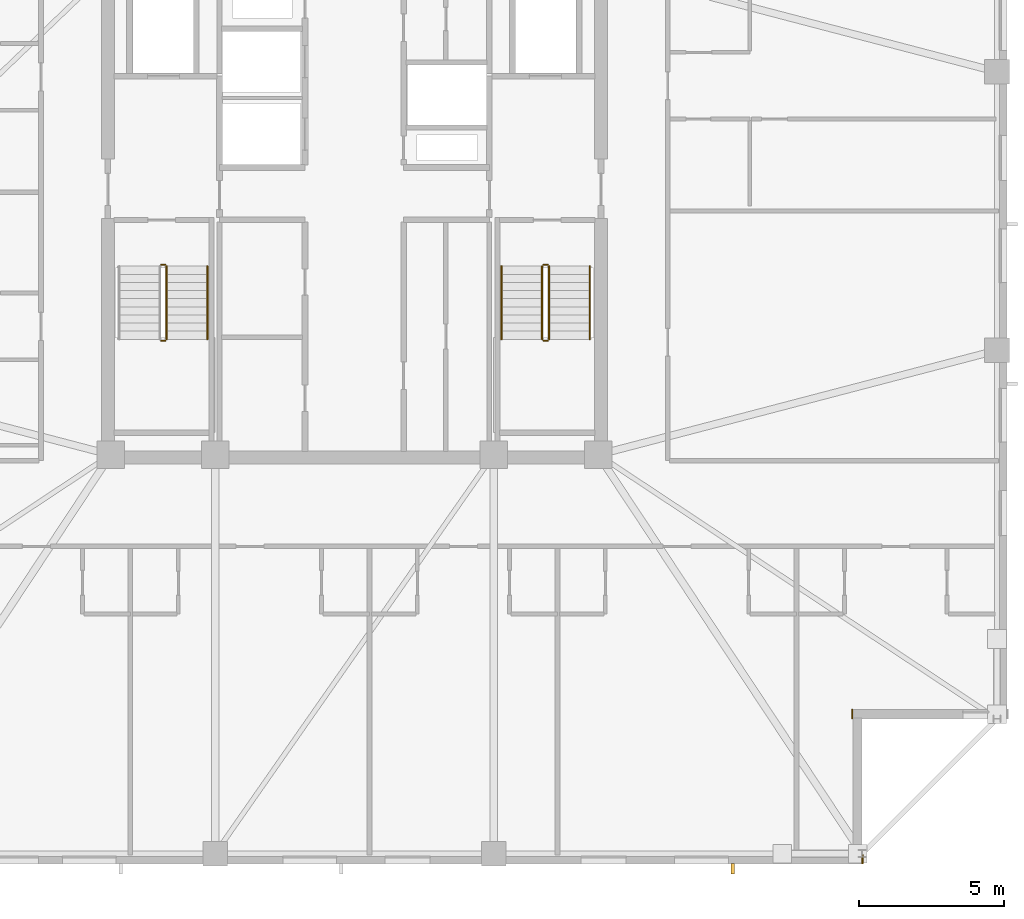
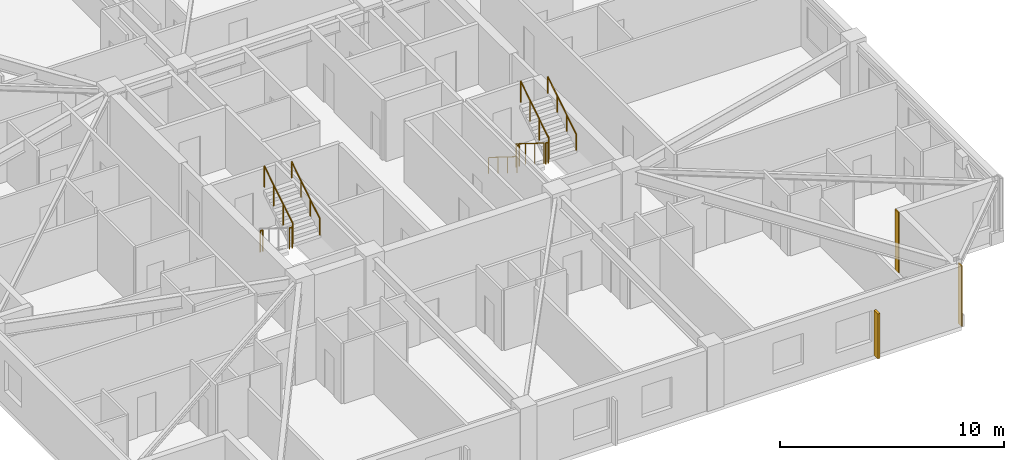
# One storey, part 14 of 17: 10 railings, 2 coverings, 1 shading device.
"""IFC4 building model written with IfcOpenShell, lengths in metres."""

from ifc_helpers import new_model, si_unit, direction, frame, frame_2d, origin, origin_2d, place, context, subcontext, project, spatial, rectangle, circle, extrude, material, layer, layer_set, type_object, element, save


model = new_model("IFC4")

# Units and contexts
model_context = context("Model", 3, precision=1e-05, world=origin(), true_north=direction((0.0, 1.0)))
body_context = subcontext(model_context, "Body", "Model", "MODEL_VIEW")
ifc_project = project(units=[si_unit("LENGTHUNIT", "METRE"), si_unit("AREAUNIT", "SQUARE_METRE"), si_unit("VOLUMEUNIT", "CUBIC_METRE"), si_unit("PLANEANGLEUNIT", "RADIAN"), si_unit("MASSUNIT", "GRAM", prefix="KILO")], contexts=[model_context])

# Site, building, storey
site_placement = place(None, origin())
site = spatial("IfcSite", under=ifc_project, at=site_placement, CompositionType="ELEMENT")
building_placement = place(site_placement, origin())
building = spatial("IfcBuilding", under=site, at=building_placement, Name="Cairnveth Concourse Tower", CompositionType="ELEMENT")
storey_placement = place(building_placement, frame((0.0, 0.0, 237.5)))
storey = spatial("IfcBuildingStorey", under=building, at=storey_placement, Name="L65", CompositionType="ELEMENT", Elevation=237.5)

# Coverings
ifc_material_1 = material(Name="Dressed Melbourne Bluestone Cladding", Category="masonry")
ifc_layer = layer(ifc_material_1, 0.050048828125)
ifc_layer_set = layer_set([ifc_layer], Name="Dressed Melbourne Bluestone Cladding")
covering_type = type_object("IfcCoveringType", Name="DRESSED BLUESTONE PLINTH CLADDING 50", PredefinedType="CLADDING", material=ifc_layer_set)
for number, where, z_axis, x_axis, name in (
    (1, (69.159912109375, 21.820068359375, 0.0), (0.0, 0.0, 1.0), (0.0, -1.0, 0.0), "Melbourne Bluestone Corner Quoin L65-983"),
    (2, (69.52001953125, 16.820068359375, 0.0), (0.0, 0.0, 1.0), (0.0, -1.0, 0.0), "Melbourne Bluestone Corner Quoin L65-984"),
):
    element("IfcCovering", number, at=place(storey_placement, frame(where, z_axis=z_axis, x_axis=x_axis)), inside=storey, type_object=covering_type, Name=name, PredefinedType="CLADDING", context=body_context, shape_type="SweptSolid", body=[
        extrude(rectangle(XDim=0.320068359375, YDim=0.050048828125, at=frame_2d((0.16015625, 0.0))), origin(), (0.0, 0.0, 1.0), 3.2900390625),
    ])

# Shading device
ifc_material_2 = material(Name="Architectural Bronze Anodised Aluminium 6063-T6", Category="aluminium")
shading_device_type = type_object("IfcShadingDeviceType", Name="GOTHIC BRONZE VERTICAL LANCET FIN", PredefinedType="USERDEFINED", material=ifc_material_2)
shading_device_placement = place(storey_placement, frame((65.04736328125, 16.324951171875, 0.030029296875), z_axis=(0.0, 0.0, 1.0), x_axis=(1.0, 0.0, 0.0)))
element("IfcShadingDevice", 3, at=shading_device_placement, inside=storey, type_object=shading_device_type, Name="Gothic Bronze Vertical Fin L65-9-1", ObjectType="VERTICAL FIN", PredefinedType="USERDEFINED", context=body_context, shape_type="SweptSolid", body=[
    extrude(rectangle(XDim=0.1201171875, YDim=0.360107421875, at=origin_2d()), origin(), (0.0, 0.0, 1.0), 2.43798828125),
])

# Railings
ifc_material_3 = material(Name="Steel Grade 350", Category="steel")
railing_type_1 = type_object("IfcRailingType", Name="STAIR GUARDRAIL 1150", PredefinedType="GUARDRAIL", material=ifc_material_3)
railing_1_placement = place(storey_placement, frame((45.340087890625, 34.530029296875, 1.75)))
element("IfcRailing", 4, at=railing_1_placement, inside=storey, type_object=railing_type_1, Name="L65 ST-1 stair guard 2", PredefinedType="GUARDRAIL", context=body_context, shape_type="SweptSolid", body=[
    extrude(circle(Radius=0.02392578125, at=origin_2d()), frame((0.0, 0.0, 1.1259765625), z_axis=(1.0, 0.0, 0.0), x_axis=(0.0, 1.0, 0.0)), (0.0, 0.0, 1.0), 0.139892578125),
    extrude(circle(Radius=0.02099609375, at=origin_2d()), origin(), (0.0, 0.0, 1.0), 1.101806640625),
    extrude(circle(Radius=0.02099609375, at=origin_2d()), frame((0.139892578125, 0.0, 0.0)), (0.0, 0.0, 1.0), 1.101806640625),
])
railing_2_placement = place(storey_placement, frame((45.530029296875, 34.580078125, 1.925048828125)))
element("IfcRailing", 5, at=railing_2_placement, inside=storey, type_object=railing_type_1, Name="L65 ST-1 stair guard 3", PredefinedType="GUARDRAIL", context=body_context, shape_type="SweptSolid", body=[
    extrude(circle(Radius=0.02392578125, at=origin_2d()), frame((0.0, 0.0, 1.1259765625), z_axis=(0.0, 0.848007534815, 0.529984170421), x_axis=(-1.0, 0.0, 0.0)), (0.0, 0.0, 1.0), 2.9716796875),
    extrude(circle(Radius=0.02099609375, at=origin_2d()), origin(), (0.0, 0.0, 1.0), 1.101806640625),
    extrude(circle(Radius=0.02099609375, at=origin_2d()), frame((0.0, 0.840087890625, 0.52490234375)), (0.0, 0.0, 1.0), 1.101806640625),
    extrude(circle(Radius=0.02099609375, at=origin_2d()), frame((0.0, 1.679931640625, 1.050048828125)), (0.0, 0.0, 1.0), 1.101806640625),
    extrude(circle(Radius=0.02099609375, at=origin_2d()), frame((0.0, 2.52001953125, 1.574951171875)), (0.0, 0.0, 1.0), 1.101806640625),
])
railing_3_placement = place(storey_placement, frame((45.340087890625, 37.14990234375, 0.0)))
element("IfcRailing", 6, at=railing_3_placement, inside=storey, type_object=railing_type_1, Name="L65 ST-1 stair guard 4", PredefinedType="GUARDRAIL", context=body_context, shape_type="SweptSolid", body=[
    extrude(circle(Radius=0.02392578125, at=origin_2d()), frame((0.0, 0.0, 1.1259765625), z_axis=(1.0, 0.0, 0.0), x_axis=(0.0, 1.0, 0.0)), (0.0, 0.0, 1.0), 0.139892578125),
    extrude(circle(Radius=0.02099609375, at=origin_2d()), origin(), (0.0, 0.0, 1.0), 1.101806640625),
    extrude(circle(Radius=0.02099609375, at=origin_2d()), frame((0.139892578125, 0.0, 0.0)), (0.0, 0.0, 1.0), 1.101806640625),
])
railing_4_placement = place(storey_placement, frame((58.469970703125, 37.10009765625, 0.175048828125)))
element("IfcRailing", 7, at=railing_4_placement, inside=storey, type_object=railing_type_1, Name="L65 ST-2 stair guard 1", PredefinedType="GUARDRAIL", context=body_context, shape_type="SweptSolid", body=[
    extrude(circle(Radius=0.02392578125, at=origin_2d()), frame((0.0, 0.0, 1.1259765625), z_axis=(0.0, -0.848007534815, 0.529984170421), x_axis=(1.0, 0.0, 0.0)), (0.0, 0.0, 1.0), 2.9716796875),
    extrude(circle(Radius=0.02099609375, at=origin_2d()), origin(), (0.0, 0.0, 1.0), 1.101806640625),
    extrude(circle(Radius=0.02099609375, at=origin_2d()), frame((0.0, -0.840087890625, 0.52490234375)), (0.0, 0.0, 1.0), 1.101806640625),
    extrude(circle(Radius=0.02099609375, at=origin_2d()), frame((0.0, -1.679931640625, 1.050048828125)), (0.0, 0.0, 1.0), 1.101806640625),
    extrude(circle(Radius=0.02099609375, at=origin_2d()), frame((0.0, -2.52001953125, 1.574951171875)), (0.0, 0.0, 1.0), 1.101806640625),
])
railing_5_placement = place(storey_placement, frame((58.52001953125, 34.530029296875, 1.75)))
element("IfcRailing", 8, at=railing_5_placement, inside=storey, type_object=railing_type_1, Name="L65 ST-2 stair guard 2", PredefinedType="GUARDRAIL", context=body_context, shape_type="SweptSolid", body=[
    extrude(circle(Radius=0.02392578125, at=origin_2d()), frame((0.0, 0.0, 1.1259765625), z_axis=(1.0, 0.0, 0.0), x_axis=(0.0, 1.0, 0.0)), (0.0, 0.0, 1.0), 0.139892578125),
    extrude(circle(Radius=0.02099609375, at=origin_2d()), origin(), (0.0, 0.0, 1.0), 1.101806640625),
    extrude(circle(Radius=0.02099609375, at=origin_2d()), frame((0.139892578125, 0.0, 0.0)), (0.0, 0.0, 1.0), 1.101806640625),
])
railing_6_placement = place(storey_placement, frame((58.7099609375, 34.580078125, 1.925048828125)))
element("IfcRailing", 9, at=railing_6_placement, inside=storey, type_object=railing_type_1, Name="L65 ST-2 stair guard 3", PredefinedType="GUARDRAIL", context=body_context, shape_type="SweptSolid", body=[
    extrude(circle(Radius=0.02392578125, at=origin_2d()), frame((0.0, 0.0, 1.1259765625), z_axis=(0.0, 0.848007534815, 0.529984170421), x_axis=(-1.0, 0.0, 0.0)), (0.0, 0.0, 1.0), 2.9716796875),
    extrude(circle(Radius=0.02099609375, at=origin_2d()), origin(), (0.0, 0.0, 1.0), 1.101806640625),
    extrude(circle(Radius=0.02099609375, at=origin_2d()), frame((0.0, 0.840087890625, 0.52490234375)), (0.0, 0.0, 1.0), 1.101806640625),
    extrude(circle(Radius=0.02099609375, at=origin_2d()), frame((0.0, 1.679931640625, 1.050048828125)), (0.0, 0.0, 1.0), 1.101806640625),
    extrude(circle(Radius=0.02099609375, at=origin_2d()), frame((0.0, 2.52001953125, 1.574951171875)), (0.0, 0.0, 1.0), 1.101806640625),
])
railing_7_placement = place(storey_placement, frame((58.52001953125, 37.14990234375, 0.0)))
element("IfcRailing", 10, at=railing_7_placement, inside=storey, type_object=railing_type_1, Name="L65 ST-2 stair guard 4", PredefinedType="GUARDRAIL", context=body_context, shape_type="SweptSolid", body=[
    extrude(circle(Radius=0.02392578125, at=origin_2d()), frame((0.0, 0.0, 1.1259765625), z_axis=(1.0, 0.0, 0.0), x_axis=(0.0, 1.0, 0.0)), (0.0, 0.0, 1.0), 0.139892578125),
    extrude(circle(Radius=0.02099609375, at=origin_2d()), origin(), (0.0, 0.0, 1.0), 1.101806640625),
    extrude(circle(Radius=0.02099609375, at=origin_2d()), frame((0.139892578125, 0.0, 0.0)), (0.0, 0.0, 1.0), 1.101806640625),
])
railing_type_2 = type_object("IfcRailingType", Name="STAIR WALL HANDRAIL 900", PredefinedType="HANDRAIL", material=ifc_material_3)
railing_8_placement = place(storey_placement, frame((46.929931640625, 34.580078125, 1.925048828125)))
element("IfcRailing", 11, at=railing_8_placement, inside=storey, type_object=railing_type_2, Name="L65 ST-1 stair handrail 2", PredefinedType="HANDRAIL", context=body_context, shape_type="SweptSolid", body=[
    extrude(circle(Radius=0.02392578125, at=origin_2d()), frame((0.0, 0.0, 0.8759765625), z_axis=(0.0, 0.848007534815, 0.529984170421), x_axis=(-1.0, 0.0, 0.0)), (0.0, 0.0, 1.0), 2.9716796875),
    extrude(circle(Radius=0.02099609375, at=origin_2d()), origin(), (0.0, 0.0, 1.0), 0.851806640625),
    extrude(circle(Radius=0.02099609375, at=origin_2d()), frame((0.0, 0.840087890625, 0.52490234375)), (0.0, 0.0, 1.0), 0.851806640625),
    extrude(circle(Radius=0.02099609375, at=origin_2d()), frame((0.0, 1.679931640625, 1.050048828125)), (0.0, 0.0, 1.0), 0.851806640625),
    extrude(circle(Radius=0.02099609375, at=origin_2d()), frame((0.0, 2.52001953125, 1.574951171875)), (0.0, 0.0, 1.0), 0.851806640625),
])
railing_9_placement = place(storey_placement, frame((57.070068359375, 37.10009765625, 0.175048828125)))
element("IfcRailing", 12, at=railing_9_placement, inside=storey, type_object=railing_type_2, Name="L65 ST-2 stair handrail 1", PredefinedType="HANDRAIL", context=body_context, shape_type="SweptSolid", body=[
    extrude(circle(Radius=0.02392578125, at=origin_2d()), frame((0.0, 0.0, 0.8759765625), z_axis=(0.0, -0.848007534815, 0.529984170421), x_axis=(1.0, 0.0, 0.0)), (0.0, 0.0, 1.0), 2.9716796875),
    extrude(circle(Radius=0.02099609375, at=origin_2d()), origin(), (0.0, 0.0, 1.0), 0.851806640625),
    extrude(circle(Radius=0.02099609375, at=origin_2d()), frame((0.0, -0.840087890625, 0.52490234375)), (0.0, 0.0, 1.0), 0.851806640625),
    extrude(circle(Radius=0.02099609375, at=origin_2d()), frame((0.0, -1.679931640625, 1.050048828125)), (0.0, 0.0, 1.0), 0.851806640625),
    extrude(circle(Radius=0.02099609375, at=origin_2d()), frame((0.0, -2.52001953125, 1.574951171875)), (0.0, 0.0, 1.0), 0.851806640625),
])
railing_10_placement = place(storey_placement, frame((60.110107421875, 34.580078125, 1.925048828125)))
element("IfcRailing", 13, at=railing_10_placement, inside=storey, type_object=railing_type_2, Name="L65 ST-2 stair handrail 2", PredefinedType="HANDRAIL", context=body_context, shape_type="SweptSolid", body=[
    extrude(circle(Radius=0.02392578125, at=origin_2d()), frame((0.0, 0.0, 0.8759765625), z_axis=(0.0, 0.848007534815, 0.529984170421), x_axis=(-1.0, 0.0, 0.0)), (0.0, 0.0, 1.0), 2.9716796875),
    extrude(circle(Radius=0.02099609375, at=origin_2d()), origin(), (0.0, 0.0, 1.0), 0.851806640625),
    extrude(circle(Radius=0.02099609375, at=origin_2d()), frame((0.0, 0.840087890625, 0.52490234375)), (0.0, 0.0, 1.0), 0.851806640625),
    extrude(circle(Radius=0.02099609375, at=origin_2d()), frame((0.0, 1.679931640625, 1.050048828125)), (0.0, 0.0, 1.0), 0.851806640625),
    extrude(circle(Radius=0.02099609375, at=origin_2d()), frame((0.0, 2.52001953125, 1.574951171875)), (0.0, 0.0, 1.0), 0.851806640625),
])

save(model, "model.ifc")
